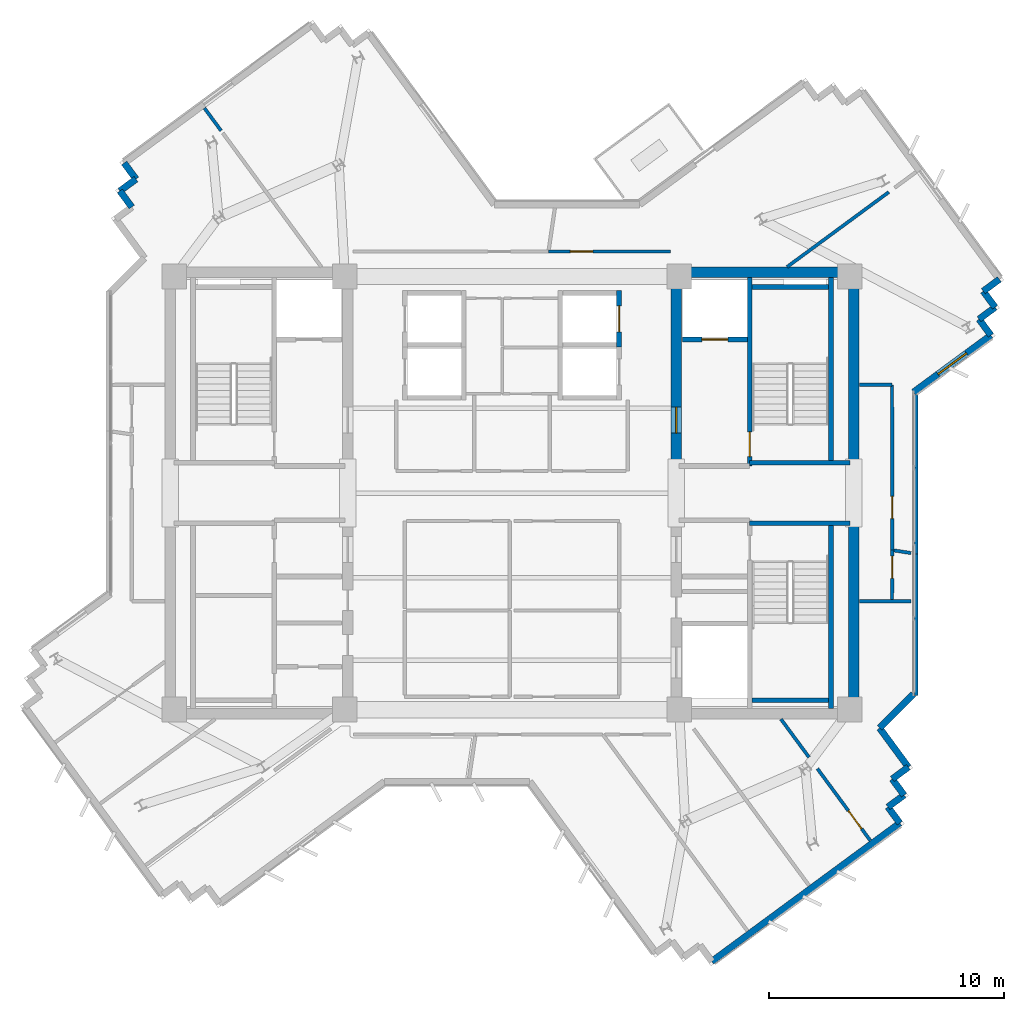
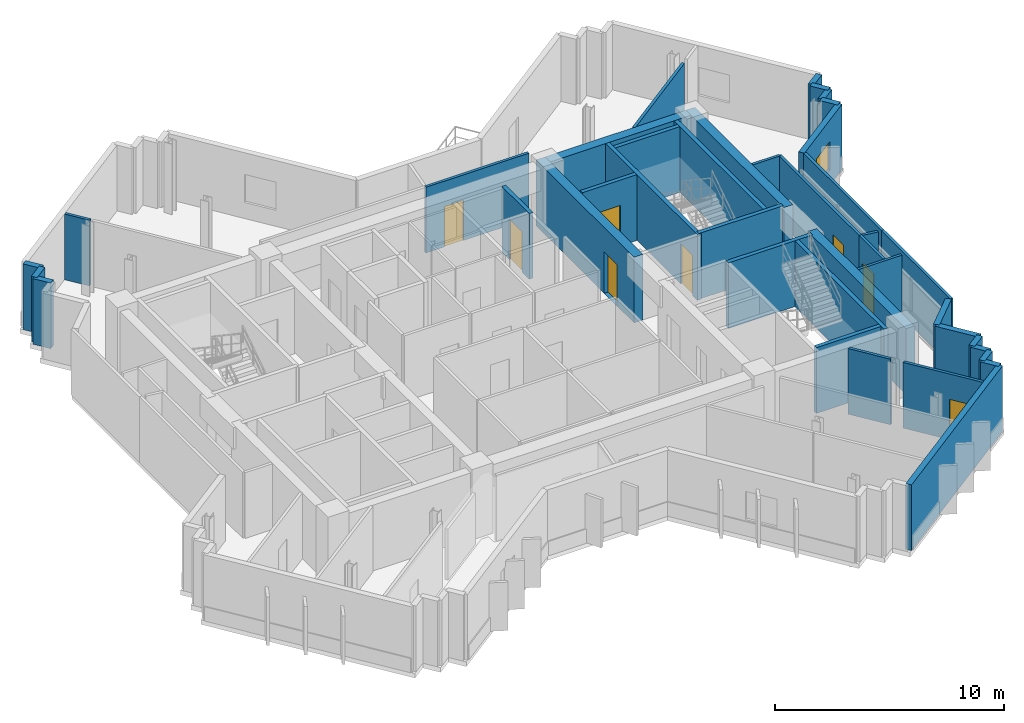
# One storey, part 9 of 13: 40 walls, 8 doors, 1 window, 9 openings.
"""IFC4 building model written with IfcOpenShell, lengths in metres."""

from ifc_helpers import new_model, si_unit, direction, frame, frame_2d, origin, place, context, subcontext, project, spatial, rectangle, extrude, source, transform, mapped, material, layer, layer_set, type_object, element, fill, save


model = new_model("IFC4")

# Units and contexts
model_context = context("Model", 3, precision=1e-05, world=origin(), true_north=direction((0.0, 1.0)))
body_context = subcontext(model_context, "Body", "Model", "MODEL_VIEW")
ifc_project = project(units=[si_unit("LENGTHUNIT", "METRE"), si_unit("AREAUNIT", "SQUARE_METRE"), si_unit("VOLUMEUNIT", "CUBIC_METRE"), si_unit("PLANEANGLEUNIT", "RADIAN"), si_unit("MASSUNIT", "GRAM", prefix="KILO")], contexts=[model_context])

# Site, building, storey
site_placement = place(None, origin())
site = spatial("IfcSite", under=ifc_project, at=site_placement, CompositionType="ELEMENT")
building_placement = place(site_placement, origin())
building = spatial("IfcBuilding", under=site, at=building_placement, Name="Zahravan Cultural Tower", CompositionType="ELEMENT")
storey_placement = place(building_placement, frame((0.0, 0.0, 272.85009765625)))
storey = spatial("IfcBuildingStorey", under=building, at=storey_placement, Name="L65", CompositionType="ELEMENT", Elevation=272.85009765625)

# Wall, opening, door
ifc_material_1 = material(Name="Concrete C50/60", Category="concrete")
ifc_layer_1 = layer(ifc_material_1, 0.449951171875)
ifc_layer_set_1 = layer_set([ifc_layer_1], Name="Concrete C50/60")
wall_type_1 = type_object("IfcWallType", Name="CW-SHEAR-450-C50", PredefinedType="SHEAR", material=ifc_layer_set_1)
wall_1_placement = place(storey_placement, frame((42.97509765625, 28.050048828125, 0.0), z_axis=(0.0, 0.0, 1.0), x_axis=(0.0, 1.0, 0.0)))
wall_1 = element("IfcWall", 1, at=wall_1_placement, inside=storey, type_object=wall_type_1, Name="L65 Core Shear Wall CW-E-WN-L65", PredefinedType="SHEAR", context=body_context, shape_type="SweptSolid", body=[
    extrude(rectangle(XDim=8.550048828125, YDim=0.449951171875, at=frame_2d((4.27490234375, 0.0))), origin(), (0.0, 0.0, 1.0), 3.5),
])
opening_1_placement = place(wall_1_placement, frame((1.5, 0.0, 0.0)))
opening_1 = element("IfcOpeningElement", 2, at=opening_1_placement, cuts=wall_1, Name="Opening D-L65-07", PredefinedType="OPENING", context=body_context, shape_type="SweptSolid", body=[
    extrude(rectangle(XDim=1.10009765625, YDim=2.199951171875, at=frame_2d((0.550048828125, 1.10009765625))), frame((0.0, 0.23486328125, 0.0), z_axis=(0.0, -1.0, 0.0), x_axis=(1.0, 0.0, 0.0)), (0.0, 0.0, 1.0), 0.469970703125),
])
ifc_material_2 = material(Name="Steel ASTM A572 Grade 50", Category="steel")
door_type_1 = type_object("IfcDoorType", Name="DR-LOBBY-1100", OperationType="NOTDEFINED", PredefinedType="DOOR", material=ifc_material_2)
shared_shape_1 = source(origin(), body_context, "Body", "SweptSolid", [
    extrude(rectangle(XDim=1.10009765625, YDim=2.199951171875, at=frame_2d((0.550048828125, 1.10009765625))), frame((0.0, 0.02490234375, 0.0), z_axis=(0.0, -1.0, 0.0), x_axis=(1.0, 0.0, 0.0)), (0.0, 0.0, 1.0), 0.050048828125),
])
door_1_placement = place(opening_1_placement, origin())
door_1 = element("IfcDoor", 3, at=door_1_placement, inside=storey, type_object=door_type_1, Name="L65 Door D-L65-07", OperationType="SINGLE_SWING_RIGHT", OverallHeight=2.199951171875, OverallWidth=1.10009765625, PredefinedType="DOOR", context=body_context, shape_type="MappedRepresentation", body=[
    mapped(shared_shape_1, transform((0.0, 0.0, 0.0), x_axis=(1.0, 0.0, 0.0), y_axis=(0.0, 1.0, 0.0), z_axis=(0.0, 0.0, 1.0), scale=1.0)),
])
fill(opening_1, door_1)

# Wall, opening, window
ifc_material_3 = material(Name="Precast concrete C40/50", Category="concrete")
ifc_layer_2 = layer(ifc_material_3, 0.280029296875)
ifc_layer_set_2 = layer_set([ifc_layer_2], Name="Precast concrete C40/50")
wall_type_2 = type_object("IfcWallType", Name="EW-TC-280", PredefinedType="SOLIDWALL", material=ifc_layer_set_2)
wall_2_placement = place(storey_placement, frame((56.345703125, 33.70361328125, 0.0), z_axis=(0.0, 0.0, 1.0), x_axis=(-0.805410687764, -0.592717153486, 0.0)))
wall_2 = element("IfcWall", 4, at=wall_2_placement, inside=storey, type_object=wall_type_2, Name="L65 Exterior Masonry Frame Wall 11", PredefinedType="SOLIDWALL", context=body_context, shape_type="SweptSolid", body=[
    extrude(rectangle(XDim=4.079345703125, YDim=0.280029296875, at=frame_2d((2.03955078125, 0.0))), origin(), (0.0, 0.0, 1.0), 3.5),
])
opening_2_placement = place(wall_2_placement, frame((1.2900390625, 0.0, 0.85009765625)))
opening_2 = element("IfcOpeningElement", 5, at=opening_2_placement, cuts=wall_2, Name="Opening WN-03", PredefinedType="OPENING", context=body_context, shape_type="SweptSolid", body=[
    extrude(rectangle(XDim=1.5, YDim=1.5, at=frame_2d((0.75, 0.75))), frame((0.0, 0.14990234375, 0.0), z_axis=(0.0, -1.0, 0.0), x_axis=(1.0, 0.0, 0.0)), (0.0, 0.0, 1.0), 0.300048828125),
])
ifc_material_4 = material(Name="Low-E solar-control double glazing", Category="glass")
window_type = type_object("IfcWindowType", Name="WN-REC-1500X1500", PartitioningType="SINGLE_PANEL", PredefinedType="WINDOW", material=ifc_material_4)
shared_shape_2 = source(origin(), body_context, "Body", "SweptSolid", [
    extrude(rectangle(XDim=1.5, YDim=1.5, at=frame_2d((0.75, 0.75))), frame((0.0, 0.030029296875, 0.0), z_axis=(0.0, -1.0, 0.0), x_axis=(1.0, 0.0, 0.0)), (0.0, 0.0, 1.0), 0.06005859375),
])
window_placement = place(opening_2_placement, origin())
window = element("IfcWindow", 6, at=window_placement, inside=storey, type_object=window_type, Name="L65 Recessed Solar Window 02", OverallHeight=1.5, OverallWidth=1.5, PartitioningType="SINGLE_PANEL", PredefinedType="WINDOW", context=body_context, shape_type="MappedRepresentation", body=[
    mapped(shared_shape_2, transform((0.0, 0.0, 0.0), x_axis=(1.0, 0.0, 0.0), y_axis=(0.0, 1.0, 0.0), z_axis=(0.0, 0.0, 1.0), scale=1.0)),
])
fill(opening_2, window)

# Wall, opening, door
ifc_material_5 = material(Name="Gypsum plasterboard partition")
ifc_layer_3 = layer(ifc_material_5, 0.139892578125)
ifc_layer_set_3 = layer_set([ifc_layer_3], Name="Gypsum plasterboard partition")
wall_type_3 = type_object("IfcWallType", Name="W-PART-140", PredefinedType="PARTITIONING", material=ifc_layer_set_3)
wall_3_placement = place(storey_placement, frame((48.975341796875, 15.290283203125, 0.0), z_axis=(0.0, 0.0, 1.0), x_axis=(0.592735674873, -0.805397057192, 0.0)))
wall_3 = element("IfcWall", 7, at=wall_3_placement, inside=storey, type_object=wall_type_3, Name="L65 Interior Wall 074", PredefinedType="PARTITIONING", context=body_context, shape_type="SweptSolid", body=[
    extrude(rectangle(XDim=3.79296875, YDim=0.139892578125, at=frame_2d((1.896484375, 0.0))), origin(), (0.0, 0.0, 1.0), 3.5),
])
opening_3_placement = place(wall_3_placement, frame((2.2177734375, 0.0, 0.0)))
opening_3 = element("IfcOpeningElement", 8, at=opening_3_placement, cuts=wall_3, Name="Opening D-L65-35", PredefinedType="OPENING", context=body_context, shape_type="SweptSolid", body=[
    extrude(rectangle(XDim=0.949951171875, YDim=2.14990234375, at=frame_2d((0.47509765625, 1.074951171875))), frame((0.0, 0.079833984375, 0.0), z_axis=(0.0, -1.0, 0.0), x_axis=(1.0, 0.0, 0.0)), (0.0, 0.0, 1.0), 0.159912109375),
])
ifc_material_6 = material(Name="Anodised bronze-aluminium mullion", Category="aluminium")
door_type_2 = type_object("IfcDoorType", Name="DR-ROOM-950", OperationType="NOTDEFINED", PredefinedType="DOOR", material=ifc_material_6)
shared_shape_3 = source(origin(), body_context, "Body", "SweptSolid", [
    extrude(rectangle(XDim=0.949951171875, YDim=2.14990234375, at=frame_2d((0.47509765625, 1.074951171875))), frame((0.0, 0.02490234375, 0.0), z_axis=(0.0, -1.0, 0.0), x_axis=(1.0, 0.0, 0.0)), (0.0, 0.0, 1.0), 0.050048828125),
])
door_2_placement = place(opening_3_placement, origin())
door_2 = element("IfcDoor", 9, at=door_2_placement, inside=storey, type_object=door_type_2, Name="L65 Door D-L65-35", OperationType="SINGLE_SWING_RIGHT", OverallHeight=2.14990234375, OverallWidth=0.949951171875, PredefinedType="DOOR", context=body_context, shape_type="MappedRepresentation", body=[
    mapped(shared_shape_3, transform((0.0, 0.0, 0.0), x_axis=(1.0, 0.0, 0.0), y_axis=(0.0, 1.0, 0.0), z_axis=(0.0, 0.0, 1.0), scale=1.0)),
])
fill(opening_3, door_2)

wall_4_placement = place(storey_placement, frame((52.14892578125, 22.478271484375, 0.0), z_axis=(0.0, 0.0, 1.0), x_axis=(0.000465766135, 0.999999891531, 0.0)))
wall_4 = element("IfcWall", 10, at=wall_4_placement, inside=storey, type_object=wall_type_3, Name="L65 Interior Wall 078", PredefinedType="PARTITIONING", context=body_context, shape_type="SweptSolid", body=[
    extrude(rectangle(XDim=2.0966796875, YDim=0.139892578125, at=frame_2d((1.04833984375, 0.0))), origin(), (0.0, 0.0, 1.0), 3.5),
])
opening_4_placement = place(wall_4_placement, frame((0.894287109375, 0.0, 0.0)))
opening_4 = element("IfcOpeningElement", 11, at=opening_4_placement, cuts=wall_4, Name="Opening D-L65-31", PredefinedType="OPENING", context=body_context, shape_type="SweptSolid", body=[
    extrude(rectangle(XDim=0.949951171875, YDim=2.14990234375, at=frame_2d((0.47509765625, 1.074951171875))), frame((0.0, 0.079833984375, 0.0), z_axis=(0.0, -1.0, 0.0), x_axis=(1.0, 0.0, 0.0)), (0.0, 0.0, 1.0), 0.159912109375),
])
door_3_placement = place(opening_4_placement, origin())
door_3 = element("IfcDoor", 12, at=door_3_placement, inside=storey, type_object=door_type_2, Name="L65 Door D-L65-31", OperationType="SINGLE_SWING_RIGHT", OverallHeight=2.14990234375, OverallWidth=0.949951171875, PredefinedType="DOOR", context=body_context, shape_type="MappedRepresentation", body=[
    mapped(shared_shape_3, transform((0.0, 0.0, 0.0), x_axis=(1.0, 0.0, 0.0), y_axis=(0.0, 1.0, 0.0), z_axis=(0.0, 0.0, 1.0), scale=1.0)),
])
fill(opening_4, door_3)

wall_5_placement = place(storey_placement, frame((52.14990234375, 24.574951171875, 0.0), z_axis=(0.0, 0.0, 1.0), x_axis=(-0.000139028882, 0.999999990335, 0.0)))
wall_5 = element("IfcWall", 13, at=wall_5_placement, inside=storey, type_object=wall_type_3, Name="L65 Interior Wall 100", PredefinedType="PARTITIONING", context=body_context, shape_type="SweptSolid", body=[
    extrude(rectangle(XDim=7.024169921875, YDim=0.139892578125, at=frame_2d((3.51220703125, 0.0))), origin(), (0.0, 0.0, 1.0), 3.5),
])
opening_5_placement = place(wall_5_placement, frame((1.336181640625, 0.0, 0.0)))
opening_5 = element("IfcOpeningElement", 14, at=opening_5_placement, cuts=wall_5, Name="Opening D-L65-23", PredefinedType="OPENING", context=body_context, shape_type="SweptSolid", body=[
    extrude(rectangle(XDim=0.949951171875, YDim=2.14990234375, at=frame_2d((0.47509765625, 1.074951171875))), frame((0.0, 0.079833984375, 0.0), z_axis=(0.0, -1.0, 0.0), x_axis=(1.0, 0.0, 0.0)), (0.0, 0.0, 1.0), 0.159912109375),
])
door_4_placement = place(opening_5_placement, origin())
door_4 = element("IfcDoor", 15, at=door_4_placement, inside=storey, type_object=door_type_2, Name="L65 Door D-L65-23", OperationType="SINGLE_SWING_RIGHT", OverallHeight=2.14990234375, OverallWidth=0.949951171875, PredefinedType="DOOR", context=body_context, shape_type="MappedRepresentation", body=[
    mapped(shared_shape_3, transform((0.0, 0.0, 0.0), x_axis=(1.0, 0.0, 0.0), y_axis=(0.0, 1.0, 0.0), z_axis=(0.0, 0.0, 1.0), scale=1.0)),
])
fill(opening_5, door_4)

wall_6_placement = place(storey_placement, frame((42.742431640625, 37.259765625, 0.0), z_axis=(0.0, 0.0, 1.0), x_axis=(-0.999999998895, 4.7021207e-05, 0.0)))
wall_6 = element("IfcWall", 16, at=wall_6_placement, inside=storey, type_object=wall_type_3, Name="L65 Interior Wall 101", PredefinedType="PARTITIONING", context=body_context, shape_type="SweptSolid", body=[
    extrude(rectangle(XDim=5.192138671875, YDim=0.139892578125, at=frame_2d((2.59619140625, 0.0))), origin(), (0.0, 0.0, 1.0), 3.5),
])
opening_6_placement = place(wall_6_placement, frame((3.308837890625, 0.0, 0.0)))
opening_6 = element("IfcOpeningElement", 17, at=opening_6_placement, cuts=wall_6, Name="Opening D-L65-24", PredefinedType="OPENING", context=body_context, shape_type="SweptSolid", body=[
    extrude(rectangle(XDim=0.949951171875, YDim=2.14990234375, at=frame_2d((0.47509765625, 1.074951171875))), frame((0.0, 0.079833984375, 0.0), z_axis=(0.0, -1.0, 0.0), x_axis=(1.0, 0.0, 0.0)), (0.0, 0.0, 1.0), 0.159912109375),
])
door_5_placement = place(opening_6_placement, origin())
door_5 = element("IfcDoor", 18, at=door_5_placement, inside=storey, type_object=door_type_2, Name="L65 Door D-L65-24", OperationType="SINGLE_SWING_LEFT", OverallHeight=2.14990234375, OverallWidth=0.949951171875, PredefinedType="DOOR", context=body_context, shape_type="MappedRepresentation", body=[
    mapped(shared_shape_3, transform((0.0, 0.0, 0.0), x_axis=(1.0, 0.0, 0.0), y_axis=(0.0, 1.0, 0.0), z_axis=(0.0, 0.0, 1.0), scale=1.0)),
])
fill(opening_6, door_5)

ifc_material_7 = material(Name="Concrete C45/55", Category="concrete")
ifc_layer_4 = layer(ifc_material_7, 0.199951171875)
ifc_layer_set_4 = layer_set([ifc_layer_4], Name="Concrete C45/55")
wall_type_4 = type_object("IfcWallType", Name="W-SHAFT-200", PredefinedType="SOLIDWALL", material=ifc_layer_set_4)
wall_7_placement = place(storey_placement, frame((46.10009765625, 28.14990234375, 0.0), z_axis=(0.0, 0.0, 1.0), x_axis=(0.0, 1.0, 0.0)))
wall_7 = element("IfcWall", 19, at=wall_7_placement, inside=storey, type_object=wall_type_4, Name="L65 Interior Wall 008", PredefinedType="SOLIDWALL", context=body_context, shape_type="SweptSolid", body=[
    extrude(rectangle(XDim=8.0, YDim=0.199951171875, at=frame_2d((4.0, 0.0))), origin(), (0.0, 0.0, 1.0), 3.5),
])
opening_7_placement = place(wall_7_placement, frame((0.39990234375, 0.0, 0.0)))
opening_7 = element("IfcOpeningElement", 20, at=opening_7_placement, cuts=wall_7, Name="Opening D-L65-02", PredefinedType="OPENING", context=body_context, shape_type="SweptSolid", body=[
    extrude(rectangle(XDim=1.050048828125, YDim=2.14990234375, at=frame_2d((0.52490234375, 1.074951171875))), frame((0.0, 0.10986328125, 0.0), z_axis=(0.0, -1.0, 0.0), x_axis=(1.0, 0.0, 0.0)), (0.0, 0.0, 1.0), 0.219970703125),
])
door_type_3 = type_object("IfcDoorType", Name="DR-STAIR-1050", OperationType="NOTDEFINED", PredefinedType="DOOR", material=ifc_material_2)
shared_shape_4 = source(origin(), body_context, "Body", "SweptSolid", [
    extrude(rectangle(XDim=1.050048828125, YDim=2.14990234375, at=frame_2d((0.52490234375, 1.074951171875))), frame((0.0, 0.02490234375, 0.0), z_axis=(0.0, -1.0, 0.0), x_axis=(1.0, 0.0, 0.0)), (0.0, 0.0, 1.0), 0.050048828125),
])
door_6_placement = place(opening_7_placement, origin())
door_6 = element("IfcDoor", 21, at=door_6_placement, inside=storey, type_object=door_type_3, Name="L65 Door D-L65-02", OperationType="SINGLE_SWING_LEFT", OverallHeight=2.14990234375, OverallWidth=1.050048828125, PredefinedType="DOOR", context=body_context, shape_type="MappedRepresentation", body=[
    mapped(shared_shape_4, transform((0.0, 0.0, 0.0), x_axis=(1.0, 0.0, 0.0), y_axis=(0.0, 1.0, 0.0), z_axis=(0.0, 0.0, 1.0), scale=1.0)),
])
fill(opening_7, door_6)

wall_8_placement = place(storey_placement, frame((43.25, 33.52001953125, 0.0), z_axis=(0.0, 0.0, 1.0), x_axis=(1.0, 0.0, 0.0)))
wall_8 = element("IfcWall", 22, at=wall_8_placement, inside=storey, type_object=wall_type_4, Name="L65 Interior Wall 023", PredefinedType="SOLIDWALL", context=body_context, shape_type="SweptSolid", body=[
    extrude(rectangle(XDim=2.75, YDim=0.199951171875, at=frame_2d((1.375, 0.0))), origin(), (0.0, 0.0, 1.0), 3.5),
])
opening_8_placement = place(wall_8_placement, frame((0.820068359375, 0.0, 0.0)))
opening_8 = element("IfcOpeningElement", 23, at=opening_8_placement, cuts=wall_8, Name="Opening LD-L65-02", PredefinedType="OPENING", context=body_context, shape_type="SweptSolid", body=[
    extrude(rectangle(XDim=1.10009765625, YDim=2.14990234375, at=frame_2d((0.550048828125, 1.074951171875))), frame((0.0, 0.10986328125, 0.0), z_axis=(0.0, -1.0, 0.0), x_axis=(1.0, 0.0, 0.0)), (0.0, 0.0, 1.0), 0.219970703125),
])
door_type_4 = type_object("IfcDoorType", Name="DR-LIFT-1100", OperationType="DOUBLE_DOOR_SLIDING", PredefinedType="DOOR", material=ifc_material_2)
shared_shape_5 = source(origin(), body_context, "Body", "SweptSolid", [
    extrude(rectangle(XDim=1.10009765625, YDim=2.14990234375, at=frame_2d((0.550048828125, 1.074951171875))), frame((0.0, 0.02490234375, 0.0), z_axis=(0.0, -1.0, 0.0), x_axis=(1.0, 0.0, 0.0)), (0.0, 0.0, 1.0), 0.050048828125),
])
door_7_placement = place(opening_8_placement, origin())
door_7 = element("IfcDoor", 24, at=door_7_placement, inside=storey, type_object=door_type_4, Name="L65 Door LD-L65-02", OperationType="DOUBLE_DOOR_SLIDING", OverallHeight=2.14990234375, OverallWidth=1.10009765625, PredefinedType="DOOR", context=body_context, shape_type="MappedRepresentation", body=[
    mapped(shared_shape_5, transform((0.0, 0.0, 0.0), x_axis=(1.0, 0.0, 0.0), y_axis=(0.0, 1.0, 0.0), z_axis=(0.0, 0.0, 1.0), scale=1.0)),
])
fill(opening_8, door_7)

wall_9_placement = place(storey_placement, frame((40.550048828125, 33.199951171875, 0.0), z_axis=(0.0, 0.0, 1.0), x_axis=(0.0, 1.0, 0.0)))
wall_9 = element("IfcWall", 25, at=wall_9_placement, inside=storey, type_object=wall_type_4, Name="L65 Interior Wall 038", PredefinedType="SOLIDWALL", context=body_context, shape_type="SweptSolid", body=[
    extrude(rectangle(XDim=2.400146484375, YDim=0.199951171875, at=frame_2d((1.2001953125, 0.0))), origin(), (0.0, 0.0, 1.0), 3.5),
])
opening_9_placement = place(wall_9_placement, frame((0.64990234375, 0.0, 0.0)))
opening_9 = element("IfcOpeningElement", 26, at=opening_9_placement, cuts=wall_9, Name="Opening LD-L65-06", PredefinedType="OPENING", context=body_context, shape_type="SweptSolid", body=[
    extrude(rectangle(XDim=1.10009765625, YDim=2.14990234375, at=frame_2d((0.550048828125, 1.074951171875))), frame((0.0, 0.10986328125, 0.0), z_axis=(0.0, -1.0, 0.0), x_axis=(1.0, 0.0, 0.0)), (0.0, 0.0, 1.0), 0.219970703125),
])
door_8_placement = place(opening_9_placement, origin())
door_8 = element("IfcDoor", 27, at=door_8_placement, inside=storey, type_object=door_type_4, Name="L65 Door LD-L65-06", OperationType="DOUBLE_DOOR_SLIDING", OverallHeight=2.14990234375, OverallWidth=1.10009765625, PredefinedType="DOOR", context=body_context, shape_type="MappedRepresentation", body=[
    mapped(shared_shape_5, transform((0.0, 0.0, 0.0), x_axis=(1.0, 0.0, 0.0), y_axis=(0.0, 1.0, 0.0), z_axis=(0.0, 0.0, 1.0), scale=1.0)),
])
fill(opening_9, door_8)

# Walls
shared_shape_6 = source(origin(), body_context, "Body", "SweptSolid", [
    extrude(rectangle(XDim=8.550048828125, YDim=0.449951171875, at=frame_2d((4.27490234375, 0.0))), origin(), (0.0, 0.0, 1.0), 3.5),
])
for number, where, z_axis, x_axis, name in (
    (28, (50.52490234375, 17.39990234375, 0.0), (0.0, 0.0, 1.0), (0.0, 1.0, 0.0), "L65 Core Shear Wall CW-E-ES-L65"),
    (29, (50.52490234375, 28.050048828125, 0.0), (0.0, 0.0, 1.0), (0.0, 1.0, 0.0), "L65 Core Shear Wall CW-E-EN-L65"),
):
    element("IfcWall", number, at=place(storey_placement, frame(where, z_axis=z_axis, x_axis=x_axis)), inside=storey, type_object=wall_type_1, Name=name, PredefinedType="SHEAR", context=body_context, shape_type="MappedRepresentation", body=[
        mapped(shared_shape_6, transform((0.0, 0.0, 0.0), x_axis=(1.0, 0.0, 0.0), y_axis=(0.0, 1.0, 0.0), z_axis=(0.0, 0.0, 1.0), scale=1.0)),
    ])
shared_shape_7 = source(origin(), body_context, "Body", "SweptSolid", [
    extrude(rectangle(XDim=7.10009765625, YDim=0.449951171875, at=frame_2d((3.550048828125, 0.0))), origin(), (0.0, 0.0, 1.0), 3.5),
])
wall_10_placement = place(storey_placement, frame((43.199951171875, 36.375, 0.0), z_axis=(0.0, 0.0, 1.0), x_axis=(1.0, 0.0, 0.0)))
element("IfcWall", 30, at=wall_10_placement, inside=storey, type_object=wall_type_1, Name="L65 Core Shear Wall CW-E-N-L65", PredefinedType="SHEAR", context=body_context, shape_type="MappedRepresentation", body=[
    mapped(shared_shape_7, transform((0.0, 0.0, 0.0), x_axis=(1.0, 0.0, 0.0), y_axis=(0.0, 1.0, 0.0), z_axis=(0.0, 0.0, 1.0), scale=1.0)),
])
shared_shape_8 = source(origin(), body_context, "Body", "SweptSolid", [
    extrude(rectangle(XDim=0.85009765625, YDim=0.280029296875, at=frame_2d((0.425048828125, 0.0))), origin(), (0.0, 0.0, 1.0), 3.5),
])
for number, where, z_axis, x_axis, name in (
    (31, (56.707275390625, 36.08056640625, 0.0), (0.0, 0.0, 1.0), (-0.80534450163, -0.592807079659, 0.0), "L65 Exterior Masonry Frame Wall 07"),
    (32, (56.022705078125, 35.57666015625, 0.0), (0.0, 0.0, 1.0), (0.592807079659, -0.80534450163, 0.0), "L65 Exterior Masonry Frame Wall 08"),
    (33, (55.841796875, 34.38818359375, 0.0), (0.0, 0.0, 1.0), (0.592807079659, -0.80534450163, 0.0), "L65 Exterior Masonry Frame Wall 10"),
    (34, (52.839111328125, 15.354736328125, 0.0), (0.0, 0.0, 1.0), (-0.80534450163, -0.592807079659, 0.0), "L65 Exterior Masonry Frame Wall 14"),
):
    element("IfcWall", number, at=place(storey_placement, frame(where, z_axis=z_axis, x_axis=x_axis)), inside=storey, type_object=wall_type_2, Name=name, PredefinedType="SOLIDWALL", context=body_context, shape_type="MappedRepresentation", body=[
        mapped(shared_shape_8, transform((0.0, 0.0, 0.0), x_axis=(1.0, 0.0, 0.0), y_axis=(0.0, 1.0, 0.0), z_axis=(0.0, 0.0, 1.0), scale=1.0)),
    ])
shared_shape_9 = source(origin(), body_context, "Body", "SweptSolid", [
    extrude(rectangle(XDim=0.849853515625, YDim=0.280029296875, at=frame_2d((0.4248046875, 0.0))), origin(), (0.0, 0.0, 1.0), 3.5),
])
for number, where, z_axis, x_axis, name in (
    (35, (52.154541015625, 14.850830078125, 0.0), (0.0, 0.0, 1.0), (0.592620751712, -0.805481622783, 0.0), "L65 Exterior Masonry Frame Wall 15"),
    (36, (52.658203125, 14.166259765625, 0.0), (0.0, 0.0, 1.0), (-0.805481622783, -0.592620751712, 0.0), "L65 Exterior Masonry Frame Wall 16"),
    (37, (19.845458984375, 39.149169921875, 0.0), (0.0, 0.0, 1.0), (-0.592620751712, 0.805481622783, 0.0), "L65 Exterior Masonry Frame Wall 39"),
    (38, (19.341796875, 39.833740234375, 0.0), (0.0, 0.0, 1.0), (0.805481622783, 0.592620751712, 0.0), "L65 Exterior Masonry Frame Wall 40"),
):
    element("IfcWall", number, at=place(storey_placement, frame(where, z_axis=z_axis, x_axis=x_axis)), inside=storey, type_object=wall_type_2, Name=name, PredefinedType="SOLIDWALL", context=body_context, shape_type="MappedRepresentation", body=[
        mapped(shared_shape_9, transform((0.0, 0.0, 0.0), x_axis=(1.0, 0.0, 0.0), y_axis=(0.0, 1.0, 0.0), z_axis=(0.0, 0.0, 1.0), scale=1.0)),
    ])
shared_shape_10 = source(origin(), body_context, "Body", "SweptSolid", [
    extrude(rectangle(XDim=9.919921875, YDim=0.280029296875, at=frame_2d((4.9599609375, 0.0))), origin(), (0.0, 0.0, 1.0), 3.5),
])
wall_11_placement = place(storey_placement, frame((52.4775390625, 12.977783203125, 0.0), z_axis=(0.0, 0.0, 1.0), x_axis=(-0.805418797839, -0.592706132994, 0.0)))
element("IfcWall", 39, at=wall_11_placement, inside=storey, type_object=wall_type_2, Name="L65 Exterior Masonry Frame Wall 18", PredefinedType="SOLIDWALL", context=body_context, shape_type="MappedRepresentation", body=[
    mapped(shared_shape_10, transform((0.0, 0.0, 0.0), x_axis=(1.0, 0.0, 0.0), y_axis=(0.0, 1.0, 0.0), z_axis=(0.0, 0.0, 1.0), scale=1.0)),
])
shared_shape_11 = source(origin(), body_context, "Body", "SweptSolid", [
    extrude(rectangle(XDim=0.850341796875, YDim=0.280029296875, at=frame_2d((0.42529296875, 0.0))), origin(), (0.0, 0.0, 1.0), 3.5),
])
for number, where, z_axis, x_axis, name in (
    (40, (56.526611328125, 34.89208984375, 0.0), (0.0, 0.0, 1.0), (-0.805445398986, -0.592669983425, 0.0), "L65 Exterior Masonry Frame Wall 09"),
    (41, (51.9736328125, 13.66259765625, 0.0), (0.0, 0.0, 1.0), (0.592669983425, -0.805445398986, 0.0), "L65 Exterior Masonry Frame Wall 17"),
    (42, (20.0263671875, 40.33740234375, 0.0), (0.0, 0.0, 1.0), (-0.592669983425, 0.805445398986, 0.0), "L65 Exterior Masonry Frame Wall 41"),
):
    element("IfcWall", number, at=place(storey_placement, frame(where, z_axis=z_axis, x_axis=x_axis)), inside=storey, type_object=wall_type_2, Name=name, PredefinedType="SOLIDWALL", context=body_context, shape_type="MappedRepresentation", body=[
        mapped(shared_shape_11, transform((0.0, 0.0, 0.0), x_axis=(1.0, 0.0, 0.0), y_axis=(0.0, 1.0, 0.0), z_axis=(0.0, 0.0, 1.0), scale=1.0)),
    ])
shared_shape_12 = source(origin(), body_context, "Body", "SweptSolid", [
    extrude(rectangle(XDim=2.04052734375, YDim=0.280029296875, at=frame_2d((1.020263671875, 0.0))), origin(), (0.0, 0.0, 1.0), 3.5),
])
wall_12_placement = place(storey_placement, frame((53.06005859375, 18.4580078125, 0.0), z_axis=(0.0, 0.0, 1.0), x_axis=(-0.707106781187, -0.707106781187, 0.0)))
element("IfcWall", 43, at=wall_12_placement, inside=storey, type_object=wall_type_2, Name="L65 Exterior Masonry Frame Wall 12", PredefinedType="SOLIDWALL", context=body_context, shape_type="MappedRepresentation", body=[
    mapped(shared_shape_12, transform((0.0, 0.0, 0.0), x_axis=(1.0, 0.0, 0.0), y_axis=(0.0, 1.0, 0.0), z_axis=(0.0, 0.0, 1.0), scale=1.0)),
])
shared_shape_13 = source(origin(), body_context, "Body", "SweptSolid", [
    extrude(rectangle(XDim=2.0615234375, YDim=0.280029296875, at=frame_2d((1.03076171875, 0.0))), origin(), (0.0, 0.0, 1.0), 3.5),
])
wall_13_placement = place(storey_placement, frame((51.6171875, 17.01513671875, 0.0), z_axis=(0.0, 0.0, 1.0), x_axis=(0.592718215209, -0.80540990642, 0.0)))
element("IfcWall", 44, at=wall_13_placement, inside=storey, type_object=wall_type_2, Name="L65 Exterior Masonry Frame Wall 13", PredefinedType="SOLIDWALL", context=body_context, shape_type="MappedRepresentation", body=[
    mapped(shared_shape_13, transform((0.0, 0.0, 0.0), x_axis=(1.0, 0.0, 0.0), y_axis=(0.0, 1.0, 0.0), z_axis=(0.0, 0.0, 1.0), scale=1.0)),
])
shared_shape_14 = source(origin(), body_context, "Body", "SweptSolid", [
    extrude(rectangle(XDim=7.869873046875, YDim=0.199951171875, at=frame_2d((3.93505859375, 0.0))), origin(), (0.0, 0.0, 1.0), 3.5),
])
for number, where, z_axis, x_axis, name in (
    (45, (49.550048828125, 17.85009765625, 0.0), (0.0, 0.0, 1.0), (0.0, 1.0, 0.0), "L65 Interior Wall 003"),
    (46, (49.550048828125, 28.280029296875, 0.0), (0.0, 0.0, 1.0), (0.0, 1.0, 0.0), "L65 Interior Wall 004"),
):
    element("IfcWall", number, at=place(storey_placement, frame(where, z_axis=z_axis, x_axis=x_axis)), inside=storey, type_object=wall_type_4, Name=name, PredefinedType="SOLIDWALL", context=body_context, shape_type="MappedRepresentation", body=[
        mapped(shared_shape_14, transform((0.0, 0.0, 0.0), x_axis=(1.0, 0.0, 0.0), y_axis=(0.0, 1.0, 0.0), z_axis=(0.0, 0.0, 1.0), scale=1.0)),
    ])
shared_shape_15 = source(origin(), body_context, "Body", "SweptSolid", [
    extrude(rectangle(XDim=4.25, YDim=0.199951171875, at=frame_2d((2.125, 0.0))), origin(), (0.0, 0.0, 1.0), 3.5),
])
for number, where, z_axis, x_axis, name in (
    (47, (46.10009765625, 25.715087890625, 0.0), (0.0, 0.0, 1.0), (1.0, 0.0, 0.0), "L65 Interior Wall 014"),
    (48, (46.10009765625, 28.284912109375, 0.0), (0.0, 0.0, 1.0), (1.0, 0.0, 0.0), "L65 Interior Wall 016"),
):
    element("IfcWall", number, at=place(storey_placement, frame(where, z_axis=z_axis, x_axis=x_axis)), inside=storey, type_object=wall_type_4, Name=name, PredefinedType="SOLIDWALL", context=body_context, shape_type="MappedRepresentation", body=[
        mapped(shared_shape_15, transform((0.0, 0.0, 0.0), x_axis=(1.0, 0.0, 0.0), y_axis=(0.0, 1.0, 0.0), z_axis=(0.0, 0.0, 1.0), scale=1.0)),
    ])
shared_shape_16 = source(origin(), body_context, "Body", "SweptSolid", [
    extrude(rectangle(XDim=3.25, YDim=0.199951171875, at=frame_2d((1.625, 0.0))), origin(), (0.0, 0.0, 1.0), 3.5),
])
for number, where, z_axis, x_axis, name in (
    (49, (46.199951171875, 35.75, 0.0), (0.0, 0.0, 1.0), (1.0, 0.0, 0.0), "L65 Interior Wall 018"),
    (50, (46.199951171875, 18.199951171875, 0.0), (0.0, 0.0, 1.0), (1.0, 0.0, 0.0), "L65 Interior Wall 020"),
):
    element("IfcWall", number, at=place(storey_placement, frame(where, z_axis=z_axis, x_axis=x_axis)), inside=storey, type_object=wall_type_4, Name=name, PredefinedType="SOLIDWALL", context=body_context, shape_type="MappedRepresentation", body=[
        mapped(shared_shape_16, transform((0.0, 0.0, 0.0), x_axis=(1.0, 0.0, 0.0), y_axis=(0.0, 1.0, 0.0), z_axis=(0.0, 0.0, 1.0), scale=1.0)),
    ])
shared_shape_17 = source(origin(), body_context, "Body", "SweptSolid", [
    extrude(rectangle(XDim=2.012939453125, YDim=0.139892578125, at=frame_2d((1.00634765625, 0.0))), origin(), (0.0, 0.0, 1.0), 3.5),
])
wall_14_placement = place(storey_placement, frame((47.426513671875, 17.39501953125, 0.0), z_axis=(0.0, 0.0, 1.0), x_axis=(0.592698341467, -0.80542453155, 0.0)))
element("IfcWall", 51, at=wall_14_placement, inside=storey, type_object=wall_type_3, Name="L65 Interior Wall 073", PredefinedType="PARTITIONING", context=body_context, shape_type="MappedRepresentation", body=[
    mapped(shared_shape_17, transform((0.0, 0.0, 0.0), x_axis=(1.0, 0.0, 0.0), y_axis=(0.0, 1.0, 0.0), z_axis=(0.0, 0.0, 1.0), scale=1.0)),
])
shared_shape_18 = source(origin(), body_context, "Body", "SweptSolid", [
    extrude(rectangle(XDim=2.205078125, YDim=0.139892578125, at=frame_2d((1.1025390625, 0.0))), origin(), (0.0, 0.0, 1.0), 3.5),
])
wall_15_placement = place(storey_placement, frame((50.7548828125, 22.400146484375, 0.0), z_axis=(0.0, 0.0, 1.0), x_axis=(0.999997297044, 0.002325060146, 0.0)))
element("IfcWall", 52, at=wall_15_placement, inside=storey, type_object=wall_type_3, Name="L65 Interior Wall 077", PredefinedType="PARTITIONING", context=body_context, shape_type="MappedRepresentation", body=[
    mapped(shared_shape_18, transform((0.0, 0.0, 0.0), x_axis=(1.0, 0.0, 0.0), y_axis=(0.0, 1.0, 0.0), z_axis=(0.0, 0.0, 1.0), scale=1.0)),
])
shared_shape_19 = source(origin(), body_context, "Body", "SweptSolid", [
    extrude(rectangle(XDim=0.73876953125, YDim=0.139892578125, at=frame_2d((0.369384765625, 0.0))), origin(), (0.0, 0.0, 1.0), 3.5),
])
wall_16_placement = place(storey_placement, frame((52.22509765625, 24.563232421875, 0.0), z_axis=(0.0, 0.0, 1.0), x_axis=(0.988021482099, -0.154316398709, 0.0)))
element("IfcWall", 53, at=wall_16_placement, inside=storey, type_object=wall_type_3, Name="L65 Interior Wall 079", PredefinedType="PARTITIONING", context=body_context, shape_type="MappedRepresentation", body=[
    mapped(shared_shape_19, transform((0.0, 0.0, 0.0), x_axis=(1.0, 0.0, 0.0), y_axis=(0.0, 1.0, 0.0), z_axis=(0.0, 0.0, 1.0), scale=1.0)),
])
shared_shape_20 = source(origin(), body_context, "Body", "SweptSolid", [
    extrude(rectangle(XDim=6.006103515625, YDim=0.139892578125, at=frame_2d((3.0029296875, 0.0))), origin(), (0.0, 0.0, 1.0), 3.5),
])
wall_17_placement = place(storey_placement, frame((53.179931640625, 24.414306640625, 0.0), z_axis=(0.0, 0.0, 1.0), x_axis=(0.0, -1.0, 0.0)))
element("IfcWall", 54, at=wall_17_placement, inside=storey, type_object=wall_type_3, Name="L65 Interior Wall 080", PredefinedType="PARTITIONING", context=body_context, shape_type="MappedRepresentation", body=[
    mapped(shared_shape_20, transform((0.0, 0.0, 0.0), x_axis=(1.0, 0.0, 0.0), y_axis=(0.0, 1.0, 0.0), z_axis=(0.0, 0.0, 1.0), scale=1.0)),
])
shared_shape_21 = source(origin(), body_context, "Body", "SweptSolid", [
    extrude(rectangle(XDim=1.190673828125, YDim=0.139892578125, at=frame_2d((0.59521484375, 0.0))), origin(), (0.0, 0.0, 1.0), 3.5),
])
wall_18_placement = place(storey_placement, frame((22.934814453125, 43.353271484375, 0.0), z_axis=(0.0, 0.0, 1.0), x_axis=(0.592625306686, -0.80547827151, 0.0)))
element("IfcWall", 55, at=wall_18_placement, inside=storey, type_object=wall_type_3, Name="L65 Interior Wall 093", PredefinedType="PARTITIONING", context=body_context, shape_type="MappedRepresentation", body=[
    mapped(shared_shape_21, transform((0.0, 0.0, 0.0), x_axis=(1.0, 0.0, 0.0), y_axis=(0.0, 1.0, 0.0), z_axis=(0.0, 0.0, 1.0), scale=1.0)),
])
shared_shape_22 = source(origin(), body_context, "Body", "SweptSolid", [
    extrude(rectangle(XDim=1.39404296875, YDim=0.139892578125, at=frame_2d((0.697021484375, 0.0))), origin(), (0.0, 0.0, 1.0), 3.5),
])
wall_19_placement = place(storey_placement, frame((52.14892578125, 31.59912109375, 0.0), z_axis=(0.0, 0.0, 1.0), x_axis=(-0.999999754632, 0.000700525222, 0.0)))
element("IfcWall", 56, at=wall_19_placement, inside=storey, type_object=wall_type_3, Name="L65 Interior Wall 096", PredefinedType="PARTITIONING", context=body_context, shape_type="MappedRepresentation", body=[
    mapped(shared_shape_22, transform((0.0, 0.0, 0.0), x_axis=(1.0, 0.0, 0.0), y_axis=(0.0, 1.0, 0.0), z_axis=(0.0, 0.0, 1.0), scale=1.0)),
])
shared_shape_23 = source(origin(), body_context, "Body", "SweptSolid", [
    extrude(rectangle(XDim=5.36962890625, YDim=0.139892578125, at=frame_2d((2.684814453125, 0.0))), origin(), (0.0, 0.0, 1.0), 3.5),
])
wall_20_placement = place(storey_placement, frame((47.685302734375, 36.60498046875, 0.0), z_axis=(0.0, 0.0, 1.0), x_axis=(0.805412248971, 0.592715032041, 0.0)))
element("IfcWall", 57, at=wall_20_placement, inside=storey, type_object=wall_type_3, Name="L65 Interior Wall 097", PredefinedType="PARTITIONING", context=body_context, shape_type="MappedRepresentation", body=[
    mapped(shared_shape_23, transform((0.0, 0.0, 0.0), x_axis=(1.0, 0.0, 0.0), y_axis=(0.0, 1.0, 0.0), z_axis=(0.0, 0.0, 1.0), scale=1.0)),
])
shared_shape_24 = source(origin(), body_context, "Body", "SweptSolid", [
    extrude(rectangle(XDim=6.781982421875, YDim=0.139892578125, at=frame_2d((3.39111328125, 0.0))), origin(), (0.0, 0.0, 1.0), 3.5),
])
wall_21_placement = place(storey_placement, frame((53.18310546875, 31.1962890625, 0.0), z_axis=(0.0, 0.0, 1.0), x_axis=(-0.000467979358, -0.999999890498, 0.0)))
element("IfcWall", 58, at=wall_21_placement, inside=storey, type_object=wall_type_3, Name="L65 Interior Wall 099", PredefinedType="PARTITIONING", context=body_context, shape_type="MappedRepresentation", body=[
    mapped(shared_shape_24, transform((0.0, 0.0, 0.0), x_axis=(1.0, 0.0, 0.0), y_axis=(0.0, 1.0, 0.0), z_axis=(0.0, 0.0, 1.0), scale=1.0)),
])

save(model, "model.ifc")
